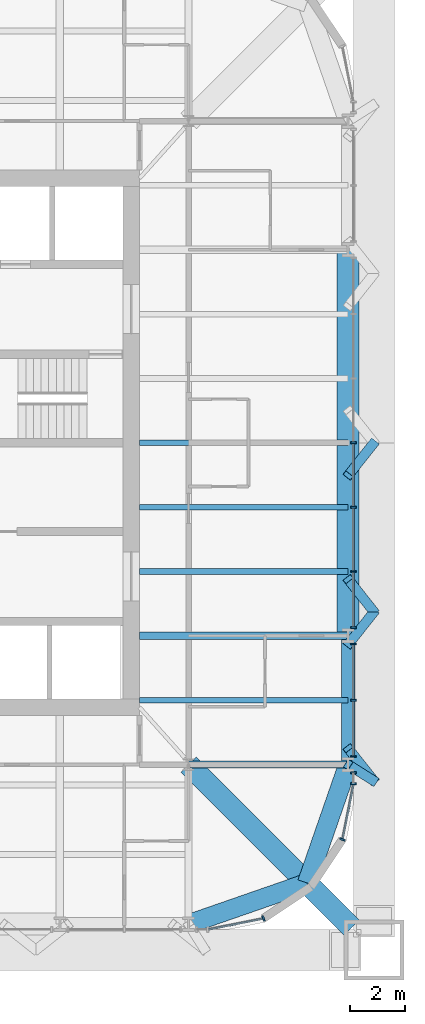
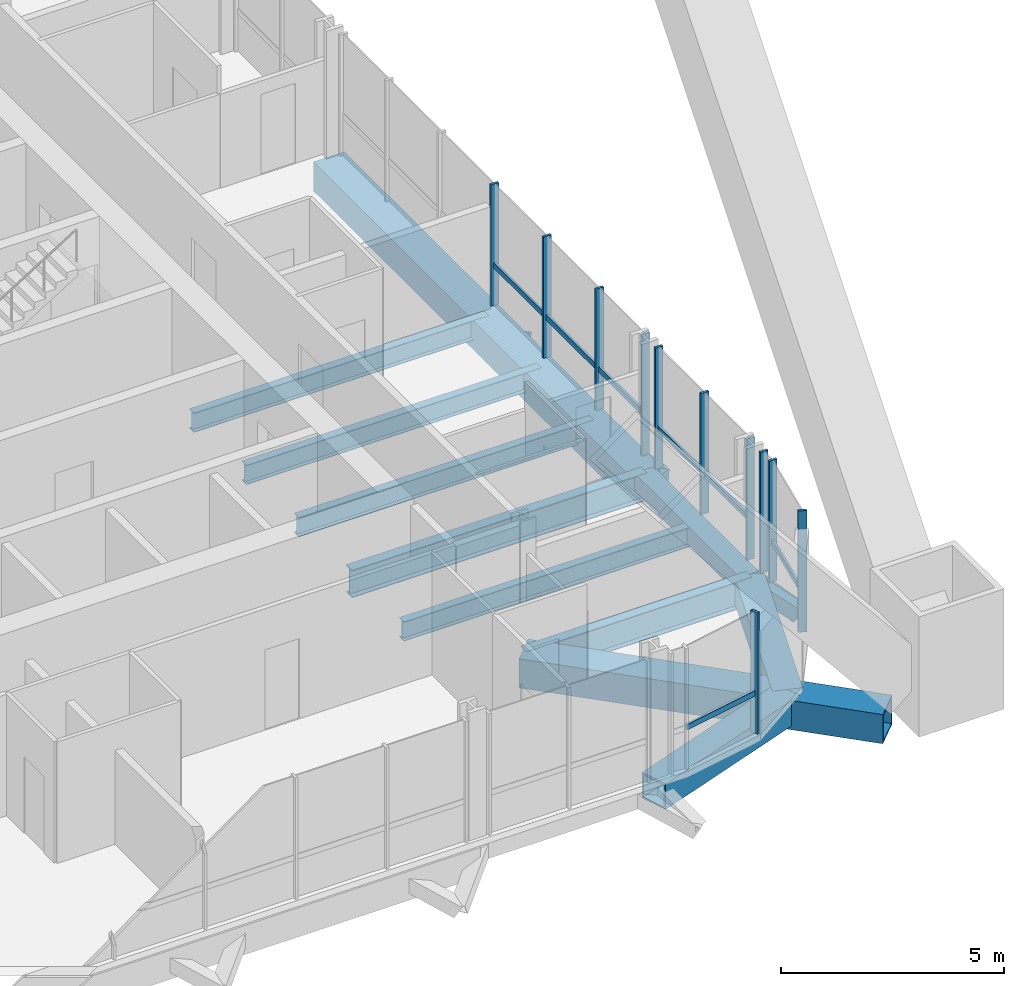
# One storey, part 7 of 23: 18 members, 16 beams, 5 elements without a shape of their own.
"""IFC4 building model written with IfcOpenShell, lengths in metres."""

from ifc_helpers import new_model, si_unit, direction, frame, origin, origin_2d, place, context, subcontext, project, spatial, rectangle, hollow_rectangle, i_section, extrude, material, material_profile, profile_set, type_object, element, aggregate, save


model = new_model("IFC4")

# Units and contexts
model_context = context("Model", 3, precision=1e-05, world=origin(), true_north=direction((0.0, 1.0)))
body_context = subcontext(model_context, "Body", "Model", "MODEL_VIEW")
ifc_project = project(units=[si_unit("LENGTHUNIT", "METRE"), si_unit("AREAUNIT", "SQUARE_METRE"), si_unit("VOLUMEUNIT", "CUBIC_METRE"), si_unit("PLANEANGLEUNIT", "RADIAN"), si_unit("MASSUNIT", "GRAM", prefix="KILO")], contexts=[model_context])

# Site, building, storey
site_placement = place(None, origin())
site = spatial("IfcSite", under=ifc_project, at=site_placement, CompositionType="ELEMENT")
building_placement = place(site_placement, origin())
building = spatial("IfcBuilding", under=site, at=building_placement, Name="Turquesa Mirador Hotel Tower", CompositionType="ELEMENT")
storey_placement = place(building_placement, frame((0.0, 0.0, 226.699951171875)))
storey = spatial("IfcBuildingStorey", under=building, at=storey_placement, Name="L61", CompositionType="ELEMENT", Elevation=226.699951171875)

# Beams
ifc_material_1 = material(Name="Steel ASTM A572 Grade 50", Category="steel")
ifc_material_profile_1 = material_profile(ifc_material_1, hollow_rectangle(XDim=0.5, YDim=0.5, WallThickness=0.031982421875, at=origin_2d()), Name="BOX500X500X32")
ifc_profile_set_1 = profile_set([ifc_material_profile_1], Name="Steel ASTM A572 Grade 50")
beam_type_1 = type_object("IfcBeamType", Name="BEAM BOX500X500X32", PredefinedType="BEAM", material=ifc_profile_set_1)
beam_1_placement = place(storey_placement, frame((72.64990234375, 33.199951171875, -0.419921875), z_axis=(0.0, 1.0, 0.0), x_axis=(-1.0, 0.0, 0.0)))
element("IfcBeam", 1, at=beam_1_placement, inside=storey, type_object=beam_type_1, Name="EB-L61-E-L", PredefinedType="BEAM", context=body_context, shape_type="SweptSolid", body=[
    extrude(hollow_rectangle(XDim=0.5, YDim=0.5, WallThickness=0.031982421875, at=origin_2d()), origin(), (0.0, 0.0, 1.0), 4.719970703125),
])
ifc_material_2 = material(Name="Steel ASTM A572 Grade 50", Category="steel")
ifc_material_profile_2 = material_profile(ifc_material_2, hollow_rectangle(XDim=0.699951171875, YDim=0.699951171875, WallThickness=0.044921875, at=origin_2d()), Name="BOX700X700X45")
ifc_profile_set_2 = profile_set([ifc_material_profile_2], Name="Steel ASTM A572 Grade 50")
beam_type_2 = type_object("IfcBeamType", Name="BEAM BOX700X700X45", PredefinedType="BEAM", material=ifc_profile_set_2)
for number, where, z_axis, x_axis, name in (
    (2, (72.64990234375, 33.199951171875, -0.52001953125), (-0.328170356092, -0.944618556552, 0.0), (0.944618556552, -0.328170356092, 0.0), "KE-L61-4-0"),
    (3, (71.1416015625, 28.8583984375, -0.52001953125), (-0.944618556552, -0.328170356092, 0.0), (0.328170356092, -0.944618556552, 0.0), "KE-L61-4-1"),
):
    element("IfcBeam", number, at=place(storey_placement, frame(where, z_axis=z_axis, x_axis=x_axis)), inside=storey, type_object=beam_type_2, Name=name, PredefinedType="BEAM", context=body_context, shape_type="SweptSolid", body=[
        extrude(hollow_rectangle(XDim=0.699951171875, YDim=0.699951171875, WallThickness=0.044921875, at=origin_2d()), origin(), (0.0, 0.0, 1.0), 4.59619140625),
    ])
ifc_material_3 = material(Name="Steel ASTM A572 Grade 50", Category="steel")
ifc_material_profile_3 = material_profile(ifc_material_3, hollow_rectangle(XDim=0.800048828125, YDim=0.800048828125, WallThickness=0.030029296875, at=origin_2d()), Name="BOX800X800X30")
ifc_profile_set_3 = profile_set([ifc_material_profile_3], Name="Steel ASTM A572 Grade 50")
beam_type_3 = type_object("IfcBeamType", Name="BEAM BOX800X800X30", PredefinedType="BEAM", material=ifc_profile_set_3)
beam_2_placement = place(storey_placement, frame((72.64990234375, 37.919921875, -0.570068359375), z_axis=(0.0, 1.0, 0.0), x_axis=(-1.0, 0.0, 0.0)))
element("IfcBeam", 4, at=beam_2_placement, inside=storey, type_object=beam_type_3, Name="EB-L61-E-C", PredefinedType="BEAM", context=body_context, shape_type="SweptSolid", body=[
    extrude(hollow_rectangle(XDim=0.800048828125, YDim=0.800048828125, WallThickness=0.030029296875, at=origin_2d()), origin(), (0.0, 0.0, 1.0), 14.16015625),
])
ifc_material_4 = material(Name="Steel ASTM A572 Grade 50", Category="steel")
ifc_material_profile_4 = material_profile(ifc_material_4, hollow_rectangle(XDim=0.800048828125, YDim=0.800048828125, WallThickness=0.050048828125, at=origin_2d()), Name="BOX800X800X50")
ifc_profile_set_4 = profile_set([ifc_material_profile_4], Name="Steel ASTM A572 Grade 50")
beam_type_4 = type_object("IfcBeamType", Name="BEAM BOX800X800X50", PredefinedType="BEAM", material=ifc_profile_set_4)
beam_3_placement = place(storey_placement, frame((66.800048828125, 33.199951171875, -0.570068359375), z_axis=(0.707106781187, -0.707106781187, 0.0), x_axis=(0.707106781187, 0.707106781187, 0.0)))
element("IfcBeam", 5, at=beam_3_placement, inside=storey, type_object=beam_type_4, Name="KD-L61-4", PredefinedType="BEAM", context=body_context, shape_type="SweptSolid", body=[
    extrude(hollow_rectangle(XDim=0.800048828125, YDim=0.800048828125, WallThickness=0.050048828125, at=origin_2d()), origin(), (0.0, 0.0, 1.0), 8.46240234375),
])
ifc_material_5 = material(Name="Steel ASTM A992 Grade 50", Category="steel")
ifc_material_profile_5 = material_profile(ifc_material_5, i_section(OverallWidth=0.209228515625, OverallDepth=0.533447265625, WebThickness=0.01025390625, FlangeThickness=0.015625, at=origin_2d()), Name="W21X62")
ifc_profile_set_5 = profile_set([ifc_material_profile_5], Name="Steel ASTM A992 Grade 50")
beam_type_5 = type_object("IfcBeamType", Name="BEAM W21X62", PredefinedType="BEAM", material=ifc_profile_set_5)
for number, where, z_axis, x_axis, name in (
    (6, (72.64990234375, 35.56005859375, -0.436767578125), (-1.0, 0.0, 0.0), (0.0, -1.0, 0.0), "BM-L61-E--9.44"),
    (7, (72.64990234375, 40.280029296875, -0.436767578125), (-1.0, 0.0, 0.0), (0.0, -1.0, 0.0), "BM-L61-E--4.72"),
    (8, (72.64990234375, 42.639892578125, -0.436767578125), (-1.0, 0.0, 0.0), (0.0, -1.0, 0.0), "BM-L61-E--2.36"),
    (9, (72.64990234375, 45.0, -0.436767578125), (-1.0, 0.0, 0.0), (0.0, -1.0, 0.0), "BM-L61-E-+0.00"),
):
    element("IfcBeam", number, at=place(storey_placement, frame(where, z_axis=z_axis, x_axis=x_axis)), inside=storey, type_object=beam_type_5, Name=name, PredefinedType="BEAM", context=body_context, shape_type="SweptSolid", body=[
        extrude(i_section(OverallWidth=0.209228515625, OverallDepth=0.533447265625, WebThickness=0.01025390625, FlangeThickness=0.015625, at=origin_2d()), origin(), (0.0, 0.0, 1.0), 7.64990234375),
    ])
ifc_material_6 = material(Name="Steel ASTM A992 Grade 50", Category="steel")
ifc_material_profile_6 = material_profile(ifc_material_6, i_section(OverallWidth=0.2666015625, OverallDepth=0.7568359375, WebThickness=0.013916015625, FlangeThickness=0.019287109375, at=origin_2d()), Name="W30X108")
ifc_profile_set_6 = profile_set([ifc_material_profile_6], Name="Steel ASTM A992 Grade 50")
beam_type_6 = type_object("IfcBeamType", Name="BEAM W30X108", PredefinedType="BEAM", material=ifc_profile_set_6)
beam_4_placement = place(storey_placement, frame((72.64990234375, 37.919921875, -0.54833984375), z_axis=(-1.0, 0.0, 0.0), x_axis=(0.0, -1.0, 0.0)))
element("IfcBeam", 10, at=beam_4_placement, inside=storey, type_object=beam_type_6, Name="GD-L61-E--7.08", PredefinedType="BEAM", context=body_context, shape_type="SweptSolid", body=[
    extrude(i_section(OverallWidth=0.2666015625, OverallDepth=0.7568359375, WebThickness=0.013916015625, FlangeThickness=0.019287109375, at=origin_2d()), origin(), (0.0, 0.0, 1.0), 7.64990234375),
])
beam_5_placement = place(storey_placement, frame((72.64990234375, 33.199951171875, -0.54833984375), z_axis=(-1.0, 0.0, 0.0), x_axis=(0.0, -1.0, 0.0)))
element("IfcBeam", 11, at=beam_5_placement, inside=storey, type_object=beam_type_6, Name="GK-L61-E--11.80", PredefinedType="BEAM", context=body_context, shape_type="SweptSolid", body=[
    extrude(i_section(OverallWidth=0.2666015625, OverallDepth=0.7568359375, WebThickness=0.013916015625, FlangeThickness=0.019287109375, at=origin_2d()), origin(), (0.0, 0.0, 1.0), 5.849853515625),
])
ifc_material_7 = material(Name="Steel ASTM A500 Grade C", Category="steel")
ifc_material_profile_7 = material_profile(ifc_material_7, hollow_rectangle(XDim=0.355712890625, YDim=0.355712890625, WallThickness=0.0146484375, at=origin_2d()), Name="HSS14X14X5/8")
ifc_profile_set_7 = profile_set([ifc_material_profile_7], Name="Steel ASTM A500 Grade C")
beam_type_7 = type_object("IfcBeamType", Name="BRACE STRUT HSS14X14X5/8", PredefinedType="BEAM", material=ifc_profile_set_7)
beam_6_placement = place(storey_placement, frame((73.60009765625, 32.60009765625, -1.199951171875), z_axis=(-0.673727626174, 0.425320857531, 0.604312215564), x_axis=(-0.53382131913, -0.845597303237, 0.0)))
element("IfcBeam", 12, at=beam_6_placement, inside=storey, type_object=beam_type_7, Name="Brace strut", PredefinedType="BEAM", context=body_context, shape_type="SweptSolid", body=[
    extrude(hollow_rectangle(XDim=0.355712890625, YDim=0.355712890625, WallThickness=0.0146484375, at=origin_2d()), origin(), (0.0, 0.0, 1.0), 1.410400390625),
])
for number, where, z_axis, x_axis, name in (
    (13, (73.60009765625, 32.60009765625, -1.199951171875), (-0.542379264492, 0.684941954003, 0.486496919924), (-0.783971428146, -0.620796907089, 0.0), "Brace strut"),
    (14, (73.60009765625, 38.800048828125, -1.199951171875), (-0.542379264492, -0.684941954003, 0.486496919924), (0.783971428146, -0.620796907089, 0.0), "Brace strut"),
    (15, (73.60009765625, 38.800048828125, -1.199951171875), (-0.542379264492, 0.684941954003, 0.486496919924), (-0.783971428146, -0.620796907089, 0.0), "Brace strut"),
    (16, (73.60009765625, 45.0, -1.199951171875), (-0.542379264492, -0.684941954003, 0.486496919924), (0.783971428146, -0.620796907089, 0.0), "Brace strut"),
):
    element("IfcBeam", number, at=place(storey_placement, frame(where, z_axis=z_axis, x_axis=x_axis)), inside=storey, type_object=beam_type_7, Name=name, PredefinedType="BEAM", context=body_context, shape_type="SweptSolid", body=[
        extrude(hollow_rectangle(XDim=0.355712890625, YDim=0.355712890625, WallThickness=0.0146484375, at=origin_2d()), origin(), (0.0, 0.0, 1.0), 1.751953125),
    ])

# Curtain wall, member
ifc_material_8 = material(Name="Aluminium extrusion", Category="aluminium")
curtain_wall_type = type_object("IfcCurtainWallType", Name="CW-4 SUITE FRITTED CURTAIN WALL", PredefinedType="USERDEFINED", material=ifc_material_8)
curtain_wall_1_placement = place(storey_placement, origin())
curtain_wall_1 = element("IfcCurtainWall", 17, at=curtain_wall_1_placement, inside=storey, type_object=curtain_wall_type, Name="CW-4 SUITE FRITTED CURTAIN WALL L61", ObjectType="CURTAIN WALL", PredefinedType="USERDEFINED")
ifc_material_9 = material(Name="Aluminium extrusion", Category="aluminium")
ifc_material_profile_8 = material_profile(ifc_material_9, rectangle(XDim=0.06494140625, YDim=0.199951171875, at=origin_2d()), Name="MULLION 65X200")
ifc_profile_set_8 = profile_set([ifc_material_profile_8], Name="Aluminium extrusion")
member_type_1 = type_object("IfcMemberType", Name="CW MULLION 65X200", PredefinedType="MULLION", material=ifc_profile_set_8)
member_1_placement = place(storey_placement, frame((69.54736328125, 27.55712890625, 0.0), z_axis=(0.0, 0.0, 1.0), x_axis=(0.923879532511, 0.382683432365, 0.0)))
member_1 = element("IfcMember", 18, at=member_1_placement, type_object=member_type_1, Name="Mullion", PredefinedType="MULLION", context=body_context, shape_type="SweptSolid", body=[
    extrude(rectangle(XDim=0.06494140625, YDim=0.199951171875, at=origin_2d()), origin(), (0.0, 0.0, 1.0), 3.330078125),
])

curtain_wall_2_placement = place(storey_placement, origin())
curtain_wall_2 = element("IfcCurtainWall", 19, at=curtain_wall_2_placement, inside=storey, type_object=curtain_wall_type, Name="CW-4 SUITE FRITTED CURTAIN WALL L61", ObjectType="CURTAIN WALL", PredefinedType="USERDEFINED")
member_2_placement = place(storey_placement, frame((72.44287109375, 30.45263671875, 0.0), z_axis=(0.0, 0.0, 1.0), x_axis=(0.382683432365, 0.923879532511, 0.0)))
member_2 = element("IfcMember", 20, at=member_2_placement, type_object=member_type_1, Name="Mullion", PredefinedType="MULLION", context=body_context, shape_type="SweptSolid", body=[
    extrude(rectangle(XDim=0.06494140625, YDim=0.199951171875, at=origin_2d()), origin(), (0.0, 0.0, 1.0), 3.330078125),
])

# Curtain wall, members
curtain_wall_3_placement = place(storey_placement, origin())
curtain_wall_3 = element("IfcCurtainWall", 21, at=curtain_wall_3_placement, inside=storey, type_object=curtain_wall_type, Name="CW-4 SUITE FRITTED CURTAIN WALL L61", ObjectType="CURTAIN WALL", PredefinedType="USERDEFINED")
member_3_placement = place(storey_placement, frame((72.85009765625, 32.5, 0.0), z_axis=(0.0, 0.0, 1.0), x_axis=(0.0, 1.0, 0.0)))
member_3 = element("IfcMember", 22, at=member_3_placement, type_object=member_type_1, Name="Mullion", PredefinedType="MULLION", context=body_context, shape_type="SweptSolid", body=[
    extrude(rectangle(XDim=0.06494140625, YDim=0.199951171875, at=origin_2d()), origin(), (0.0, 0.0, 1.0), 3.330078125),
])
member_4_placement = place(storey_placement, frame((72.85009765625, 32.900146484375, 0.0), z_axis=(0.0, 0.0, 1.0), x_axis=(0.0, 1.0, 0.0)))
member_4 = element("IfcMember", 23, at=member_4_placement, type_object=member_type_1, Name="Mullion", PredefinedType="MULLION", context=body_context, shape_type="SweptSolid", body=[
    extrude(rectangle(XDim=0.06494140625, YDim=0.199951171875, at=origin_2d()), origin(), (0.0, 0.0, 1.0), 3.330078125),
])
aggregate(curtain_wall_3, [member_3, member_4])

curtain_wall_4_placement = place(storey_placement, origin())
curtain_wall_4 = element("IfcCurtainWall", 24, at=curtain_wall_4_placement, inside=storey, type_object=curtain_wall_type, Name="CW-4 SUITE FRITTED CURTAIN WALL L61", ObjectType="CURTAIN WALL", PredefinedType="USERDEFINED")
member_5_placement = place(storey_placement, frame((72.85009765625, 33.5, 0.0), z_axis=(0.0, 0.0, 1.0), x_axis=(0.0, 1.0, 0.0)))
member_5 = element("IfcMember", 25, at=member_5_placement, type_object=member_type_1, Name="Mullion", PredefinedType="MULLION", context=body_context, shape_type="SweptSolid", body=[
    extrude(rectangle(XDim=0.06494140625, YDim=0.199951171875, at=origin_2d()), origin(), (0.0, 0.0, 1.0), 3.330078125),
])
member_6_placement = place(storey_placement, frame((72.85009765625, 35.56005859375, 0.0), z_axis=(0.0, 0.0, 1.0), x_axis=(0.0, 1.0, 0.0)))
member_6 = element("IfcMember", 26, at=member_6_placement, type_object=member_type_1, Name="Mullion", PredefinedType="MULLION", context=body_context, shape_type="SweptSolid", body=[
    extrude(rectangle(XDim=0.06494140625, YDim=0.199951171875, at=origin_2d()), origin(), (0.0, 0.0, 1.0), 3.330078125),
])
member_7_placement = place(storey_placement, frame((72.85009765625, 37.6201171875, 0.0), z_axis=(0.0, 0.0, 1.0), x_axis=(0.0, 1.0, 0.0)))
member_7 = element("IfcMember", 27, at=member_7_placement, type_object=member_type_1, Name="Mullion", PredefinedType="MULLION", context=body_context, shape_type="SweptSolid", body=[
    extrude(rectangle(XDim=0.06494140625, YDim=0.199951171875, at=origin_2d()), origin(), (0.0, 0.0, 1.0), 3.330078125),
])

curtain_wall_5_placement = place(storey_placement, origin())
curtain_wall_5 = element("IfcCurtainWall", 28, at=curtain_wall_5_placement, inside=storey, type_object=curtain_wall_type, Name="CW-4 SUITE FRITTED CURTAIN WALL L61", ObjectType="CURTAIN WALL", PredefinedType="USERDEFINED")
member_8_placement = place(storey_placement, frame((72.85009765625, 38.219970703125, 0.0), z_axis=(0.0, 0.0, 1.0), x_axis=(0.0, 1.0, 0.0)))
member_8 = element("IfcMember", 29, at=member_8_placement, type_object=member_type_1, Name="Mullion", PredefinedType="MULLION", context=body_context, shape_type="SweptSolid", body=[
    extrude(rectangle(XDim=0.06494140625, YDim=0.199951171875, at=origin_2d()), origin(), (0.0, 0.0, 1.0), 3.330078125),
])
member_9_placement = place(storey_placement, frame((72.85009765625, 40.280029296875, 0.0), z_axis=(0.0, 0.0, 1.0), x_axis=(0.0, 1.0, 0.0)))
member_9 = element("IfcMember", 30, at=member_9_placement, type_object=member_type_1, Name="Mullion", PredefinedType="MULLION", context=body_context, shape_type="SweptSolid", body=[
    extrude(rectangle(XDim=0.06494140625, YDim=0.199951171875, at=origin_2d()), origin(), (0.0, 0.0, 1.0), 3.330078125),
])
member_10_placement = place(storey_placement, frame((72.85009765625, 42.639892578125, 0.0), z_axis=(0.0, 0.0, 1.0), x_axis=(0.0, 1.0, 0.0)))
member_10 = element("IfcMember", 31, at=member_10_placement, type_object=member_type_1, Name="Mullion", PredefinedType="MULLION", context=body_context, shape_type="SweptSolid", body=[
    extrude(rectangle(XDim=0.06494140625, YDim=0.199951171875, at=origin_2d()), origin(), (0.0, 0.0, 1.0), 3.330078125),
])
member_11_placement = place(storey_placement, frame((72.85009765625, 45.0, 0.0), z_axis=(0.0, 0.0, 1.0), x_axis=(0.0, 1.0, 0.0)))
member_11 = element("IfcMember", 32, at=member_11_placement, type_object=member_type_1, Name="Mullion", PredefinedType="MULLION", context=body_context, shape_type="SweptSolid", body=[
    extrude(rectangle(XDim=0.06494140625, YDim=0.199951171875, at=origin_2d()), origin(), (0.0, 0.0, 1.0), 3.330078125),
])

# Member
ifc_material_10 = material(Name="Aluminium extrusion", Category="aluminium")
ifc_material_profile_9 = material_profile(ifc_material_10, rectangle(XDim=0.06494140625, YDim=0.14990234375, at=origin_2d()), Name="TRANSOM 65X150")
ifc_profile_set_9 = profile_set([ifc_material_profile_9], Name="Aluminium extrusion")
member_type_2 = type_object("IfcMemberType", Name="CW TRANSOM 65X150", PredefinedType="USERDEFINED", material=ifc_profile_set_9)
member_12_placement = place(storey_placement, frame((67.531982421875, 27.15625, 1.10009765625), z_axis=(0.980761343592, 0.195210621934, 0.0), x_axis=(-0.195210621934, 0.980761343592, 0.0)))
member_12 = element("IfcMember", 33, at=member_12_placement, type_object=member_type_2, Name="Transom", ObjectType="TRANSOM", PredefinedType="USERDEFINED", context=body_context, shape_type="SweptSolid", body=[
    extrude(rectangle(XDim=0.06494140625, YDim=0.14990234375, at=origin_2d()), origin(), (0.0, 0.0, 1.0), 2.022216796875),
])

aggregate(curtain_wall_1, [member_1, member_12])

member_13_placement = place(storey_placement, frame((72.448974609375, 30.484619140625, 1.10009765625), z_axis=(0.195210621934, 0.980761343592, 0.0), x_axis=(-0.980761343592, 0.195210621934, 0.0)))
member_13 = element("IfcMember", 34, at=member_13_placement, type_object=member_type_2, Name="Transom", ObjectType="TRANSOM", PredefinedType="USERDEFINED", context=body_context, shape_type="SweptSolid", body=[
    extrude(rectangle(XDim=0.06494140625, YDim=0.14990234375, at=origin_2d()), origin(), (0.0, 0.0, 1.0), 2.022216796875),
])

aggregate(curtain_wall_2, [member_2, member_13])

member_14_placement = place(storey_placement, frame((72.85009765625, 33.532470703125, 1.10009765625), z_axis=(0.0, 1.0, 0.0), x_axis=(-1.0, 0.0, 0.0)))
member_14 = element("IfcMember", 35, at=member_14_placement, type_object=member_type_2, Name="Transom", ObjectType="TRANSOM", PredefinedType="USERDEFINED", context=body_context, shape_type="SweptSolid", body=[
    extrude(rectangle(XDim=0.06494140625, YDim=0.14990234375, at=origin_2d()), origin(), (0.0, 0.0, 1.0), 1.9951171875),
])

member_15_placement = place(storey_placement, frame((72.85009765625, 35.592529296875, 1.10009765625), z_axis=(0.0, 1.0, 0.0), x_axis=(-1.0, 0.0, 0.0)))
member_15 = element("IfcMember", 36, at=member_15_placement, type_object=member_type_2, Name="Transom", ObjectType="TRANSOM", PredefinedType="USERDEFINED", context=body_context, shape_type="SweptSolid", body=[
    extrude(rectangle(XDim=0.06494140625, YDim=0.14990234375, at=origin_2d()), origin(), (0.0, 0.0, 1.0), 1.9951171875),
])

aggregate(curtain_wall_4, [member_5, member_6, member_7, member_14, member_15])

member_16_placement = place(storey_placement, frame((72.85009765625, 38.25244140625, 1.10009765625), z_axis=(0.0, 1.0, 0.0), x_axis=(-1.0, 0.0, 0.0)))
member_16 = element("IfcMember", 37, at=member_16_placement, type_object=member_type_2, Name="Transom", ObjectType="TRANSOM", PredefinedType="USERDEFINED", context=body_context, shape_type="SweptSolid", body=[
    extrude(rectangle(XDim=0.06494140625, YDim=0.14990234375, at=origin_2d()), origin(), (0.0, 0.0, 1.0), 1.9951171875),
])

member_17_placement = place(storey_placement, frame((72.85009765625, 40.3125, 1.10009765625), z_axis=(0.0, 1.0, 0.0), x_axis=(-1.0, 0.0, 0.0)))
member_17 = element("IfcMember", 38, at=member_17_placement, type_object=member_type_2, Name="Transom", ObjectType="TRANSOM", PredefinedType="USERDEFINED", context=body_context, shape_type="SweptSolid", body=[
    extrude(rectangle(XDim=0.06494140625, YDim=0.14990234375, at=origin_2d()), origin(), (0.0, 0.0, 1.0), 2.294921875),
])

member_18_placement = place(storey_placement, frame((72.85009765625, 42.672607421875, 1.10009765625), z_axis=(0.0, 1.0, 0.0), x_axis=(-1.0, 0.0, 0.0)))
member_18 = element("IfcMember", 39, at=member_18_placement, type_object=member_type_2, Name="Transom", ObjectType="TRANSOM", PredefinedType="USERDEFINED", context=body_context, shape_type="SweptSolid", body=[
    extrude(rectangle(XDim=0.06494140625, YDim=0.14990234375, at=origin_2d()), origin(), (0.0, 0.0, 1.0), 2.294921875),
])

aggregate(curtain_wall_5, [member_8, member_9, member_10, member_11, member_16, member_17, member_18])

save(model, "model.ifc")
